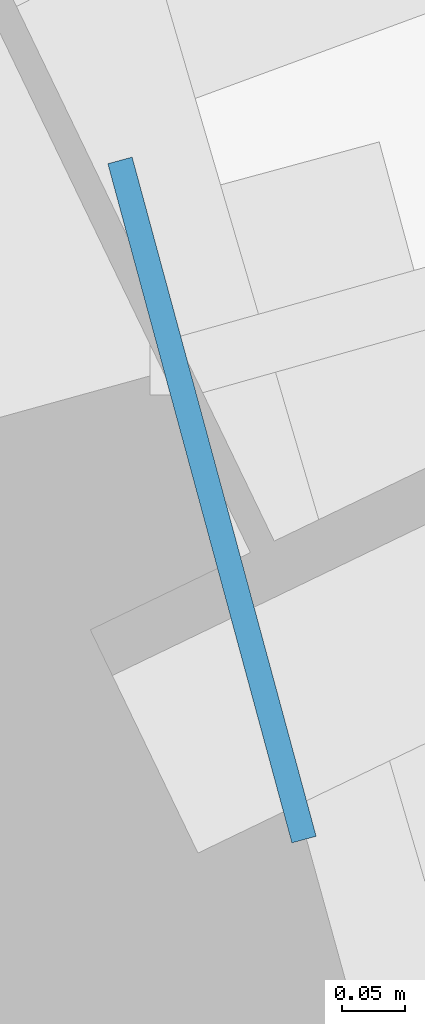
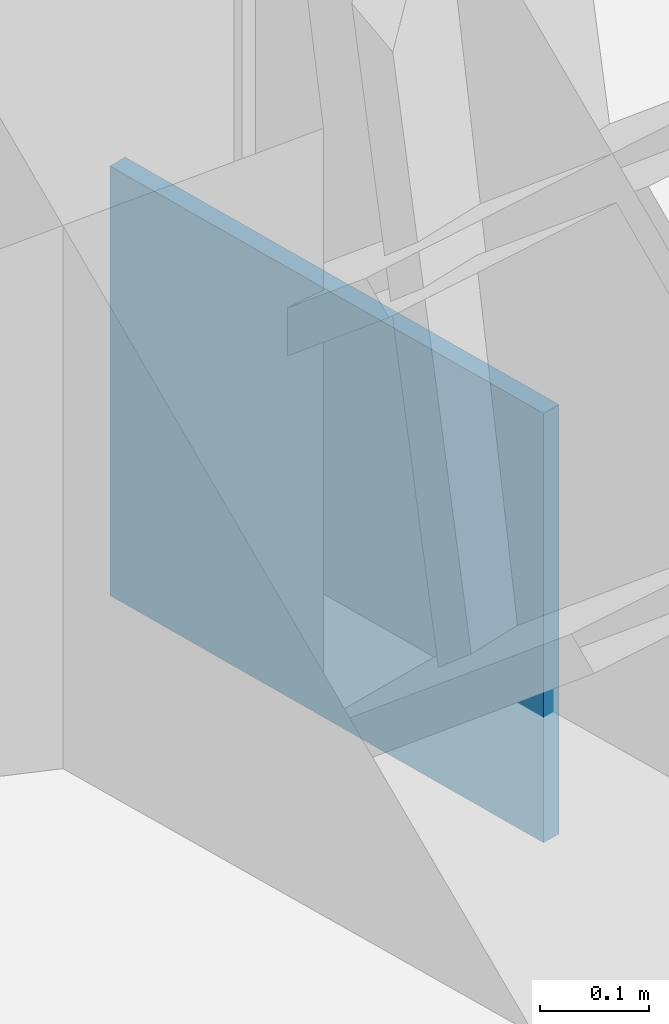
# One storey, part 13 of 20: 1 plate.
"""IFC4 building model written with IfcOpenShell, lengths in metres."""

import ifcopenshell
import ifcopenshell.guid

model = None  # the IFC model being written
_history = None  # IfcOwnerHistory: only IFC2X3 demands one
_inside = {}  # id of a spatial element -> (the spatial element, [elements in it])
_under = {}  # id of a project, library or spatial element -> (it, [spatial elements below it])
_declared = {}  # id of a project -> (the project, [libraries it declares])
_typed = {}  # id of a type object -> (the type object, [elements of that type])
_made_of = {}  # id of a material, layer set ... -> (it, [elements and type objects made of it])


def new_model(schema):
    """Start an empty IFC model of exactly this schema.

    Asked for "IFC4X3", IfcOpenShell would pick the latest addendum, in which some entities
    have other attributes; the version numbers below select the first issue.
    IFC2X3 requires an IfcOwnerHistory on every rooted entity: one is made here for all.
    """
    global model, _history
    if schema == "IFC4X3":
        model = ifcopenshell.file(schema_version=(4, 3, 0, 0))
    else:
        model = ifcopenshell.file(schema=schema)
    _inside.clear()
    _under.clear()
    _declared.clear()
    _typed.clear()
    _made_of.clear()
    _history = None
    if model.schema == "IFC2X3":
        org = make("IfcOrganization", Name="unknown")
        user = make(
            "IfcPersonAndOrganization",
            ThePerson=make("IfcPerson", FamilyName="unknown"),
            TheOrganization=org,
        )
        app = make(
            "IfcApplication",
            ApplicationDeveloper=org,
            Version="unknown",
            ApplicationFullName="unknown",
            ApplicationIdentifier="unknown",
        )
        _history = make(
            "IfcOwnerHistory",
            OwningUser=user,
            OwningApplication=app,
            ChangeAction="ADDED",
            CreationDate=0,
        )
    return model


def make(cls, **values):
    """One entity of the class cls with the attributes given. An attribute that is None is left unset."""
    return model.create_entity(
        cls, **{name: value for name, value in values.items() if value is not None}
    )


def rooted(cls, **values):
    """An entity with a GlobalId (a new one), such as an element, a storey or a relation."""
    return make(cls, GlobalId=ifcopenshell.guid.new(), OwnerHistory=_history, **values)


def si_unit(unit_type, name, prefix=None):
    """IfcSIUnit, for example si_unit("LENGTHUNIT", "METRE", prefix="MILLI")."""
    return make("IfcSIUnit", UnitType=unit_type, Prefix=prefix, Name=name)


def assignment(units):
    """IfcUnitAssignment: the units of a project."""
    return None if units is None else make("IfcUnitAssignment", Units=units)


def point(xyz):
    """IfcCartesianPoint."""
    return None if xyz is None else make("IfcCartesianPoint", Coordinates=xyz)


def direction(xyz):
    """IfcDirection."""
    return None if xyz is None else make("IfcDirection", DirectionRatios=xyz)


def frame(location, z_axis=None, x_axis=None):
    """IfcAxis2Placement3D, a coordinate frame: its origin and axes. An axis left out is left unset."""
    return make(
        "IfcAxis2Placement3D",
        Location=point(location),
        Axis=direction(z_axis),
        RefDirection=direction(x_axis),
    )


def frame_2d(location, x_axis=None):
    """IfcAxis2Placement2D, a coordinate frame in the plane: its origin and x axis."""
    return make(
        "IfcAxis2Placement2D", Location=point(location), RefDirection=direction(x_axis)
    )


def origin():
    """The frame at (0, 0, 0) with its axes left unset."""
    return frame((0.0, 0.0, 0.0))


def origin_2d():
    """The frame at (0, 0) in the plane with its x axis left unset."""
    return frame_2d((0.0, 0.0))


def place(relative_to, where):
    """IfcLocalPlacement: puts the frame where relative to a parent placement (None: the world)."""
    return make(
        "IfcLocalPlacement", PlacementRelTo=relative_to, RelativePlacement=where
    )


def context(
    kind, dimensions, precision=None, world=None, true_north=None, identifier=None
):
    """IfcGeometricRepresentationContext, for example the 3D "Model" context."""
    return make(
        "IfcGeometricRepresentationContext",
        ContextIdentifier=identifier,
        ContextType=kind,
        CoordinateSpaceDimension=dimensions,
        Precision=precision,
        WorldCoordinateSystem=world,
        TrueNorth=true_north,
    )


def subcontext(parent, identifier, kind, view, scale=None):
    """IfcGeometricRepresentationSubContext, for example "Body" below "Model"."""
    return make(
        "IfcGeometricRepresentationSubContext",
        ContextIdentifier=identifier,
        ContextType=kind,
        ParentContext=parent,
        TargetScale=scale,
        TargetView=view,
    )


def project(units=None, contexts=None):
    """IfcProject with its units and contexts."""
    return rooted(
        "IfcProject",
        Name="project",
        RepresentationContexts=contexts,
        UnitsInContext=assignment(units),
    )


def spatial(cls, under=None, at=None, **own):
    """A site, building, storey or space (cls), placed at a placement, below another one or the project."""
    s = rooted(cls, ObjectPlacement=at, **own)
    if under is not None:
        _under.setdefault(under.id(), (under, []))[1].append(s)
    return s


def profile(cls, at=None, kind="AREA", **sizes):
    """A parametric profile (cls). Its sizes go by their IFC names, for example OverallWidth=200.0."""
    return make(cls, ProfileType=kind, Position=at, **sizes)


def rectangle(**sizes):
    """IfcRectangleProfileDef."""
    return profile("IfcRectangleProfileDef", **sizes)


def extrude(swept, where, along, depth):
    """IfcExtrudedAreaSolid: the profile swept, set in the frame where, extruded along a direction by depth."""
    return make(
        "IfcExtrudedAreaSolid",
        SweptArea=swept,
        Position=where,
        ExtrudedDirection=direction(along),
        Depth=depth,
    )


def shape(context_of_items, identifier, shape_type, items):
    """IfcShapeRepresentation: the items that make up one representation, for example the "Body"."""
    return make(
        "IfcShapeRepresentation",
        ContextOfItems=context_of_items,
        RepresentationIdentifier=identifier,
        RepresentationType=shape_type,
        Items=items,
    )


def source(mapping_origin, context_of_items, identifier, shape_type, items):
    """IfcRepresentationMap: a shape defined once, which mapped items show again and again."""
    return make(
        "IfcRepresentationMap",
        MappingOrigin=mapping_origin,
        MappedRepresentation=shape(context_of_items, identifier, shape_type, items),
    )


def transform(
    local_origin,
    x_axis=None,
    y_axis=None,
    z_axis=None,
    scale=None,
    scale2=None,
    scale3=None,
    uniform=True,
):
    """IfcCartesianTransformationOperator3D, or its non-uniform kind. x_axis, y_axis, z_axis: its Axis1, 2, 3."""
    if uniform:
        return make(
            "IfcCartesianTransformationOperator3D",
            Axis1=direction(x_axis),
            Axis2=direction(y_axis),
            LocalOrigin=point(local_origin),
            Scale=scale,
            Axis3=direction(z_axis),
        )
    return make(
        "IfcCartesianTransformationOperator3DnonUniform",
        Axis1=direction(x_axis),
        Axis2=direction(y_axis),
        LocalOrigin=point(local_origin),
        Scale=scale,
        Axis3=direction(z_axis),
        Scale2=scale2,
        Scale3=scale3,
    )


def mapped(mapping_source, mapping_target):
    """IfcMappedItem: shows the shape of a source again, moved by a transform."""
    return make(
        "IfcMappedItem", MappingSource=mapping_source, MappingTarget=mapping_target
    )


def material(Name=None, Category=None):
    """IfcMaterial."""
    return make("IfcMaterial", Name=Name, Category=Category)


def made_of(thing, what):
    """Note that an element or type object is made of a material, layer set ...; save() writes the relation."""
    if what is not None:
        _made_of.setdefault(what.id(), (what, []))[1].append(thing)
    return thing


def type_object(cls, material=None, **own):
    """A type object (cls), such as IfcWallType, which elements share."""
    return made_of(rooted(cls, **own), material)


def element(
    cls,
    number,
    at=None,
    inside=None,
    cuts=None,
    type_object=None,
    material=None,
    context=None,
    identifier="Body",
    shape_type=None,
    held_by="IfcProductDefinitionShape",
    body=None,
    shapes=None,
    **own,
):
    """One element of the class cls, such as IfcWall. Its Tag is "e" and its number.

    at: its placement. inside: the storey or other place that contains it. cuts: it is an
    opening in that element (IfcRelVoidsElement). A single representation is given by context,
    identifier, shape_type and body (its items); several are given by shapes. held_by: the class
    of the entity that holds the representations. save() writes the other relations.
    """
    e = rooted(cls, Tag="e%d" % number, ObjectPlacement=at, **own)
    if body is not None:
        shapes = [shape(context, identifier, shape_type, body)]
    if shapes is not None:
        e.Representation = make(held_by, Representations=shapes)
    if inside is not None:
        _inside.setdefault(inside.id(), (inside, []))[1].append(e)
    if cuts is not None:
        rooted(
            "IfcRelVoidsElement", RelatingBuildingElement=cuts, RelatedOpeningElement=e
        )
    if type_object is not None:
        _typed.setdefault(type_object.id(), (type_object, []))[1].append(e)
    return made_of(e, material)


def aggregate(whole, parts):
    """IfcRelAggregates: a whole, such as a stair, and the parts it consists of."""
    return rooted("IfcRelAggregates", RelatingObject=whole, RelatedObjects=parts)


def save(model, path):
    """Write the relations noted so far, then the file.

    IfcRelAggregates (storeys below a building ...), IfcRelContainedInSpatialStructure (elements
    in a storey), IfcRelDefinesByType, IfcRelAssociatesMaterial and IfcRelDeclares: one each for
    every whole, place, type object, material and project.
    """
    for whole, parts in _under.values():
        aggregate(whole, parts)
    for where, things in _inside.values():
        rooted(
            "IfcRelContainedInSpatialStructure",
            RelatedElements=things,
            RelatingStructure=where,
        )
    for kind, things in _typed.values():
        rooted("IfcRelDefinesByType", RelatedObjects=things, RelatingType=kind)
    for what, things in _made_of.values():
        rooted("IfcRelAssociatesMaterial", RelatedObjects=things, RelatingMaterial=what)
    for by, libraries in _declared.values():
        rooted("IfcRelDeclares", RelatingContext=by, RelatedDefinitions=libraries)
    model.write(path)


model = new_model("IFC4")

# Units and contexts
model_context = context("Model", 3, precision=1e-05, world=origin(), true_north=direction((0.0, 1.0)))
body_context = subcontext(model_context, "Body", "Model", "MODEL_VIEW")
ifc_project = project(units=[si_unit("LENGTHUNIT", "METRE"), si_unit("AREAUNIT", "SQUARE_METRE"), si_unit("VOLUMEUNIT", "CUBIC_METRE"), si_unit("PLANEANGLEUNIT", "RADIAN"), si_unit("MASSUNIT", "GRAM", prefix="KILO")], contexts=[model_context])

# Site, building, storey
site_placement = place(None, origin())
site = spatial("IfcSite", under=ifc_project, at=site_placement, CompositionType="ELEMENT")
building_placement = place(site_placement, origin())
building = spatial("IfcBuilding", under=site, at=building_placement, Name="Olszyna Solenne Hotel", CompositionType="ELEMENT")
storey_placement = place(building_placement, frame((0.0, 0.0, 98.60009765625)))
storey = spatial("IfcBuildingStorey", under=building, at=storey_placement, Name="L25", CompositionType="ELEMENT", Elevation=98.60009765625)

# Plate
ifc_material = material(Name="Steel S355J2", Category="steel")
plate_type = type_object("IfcPlateType", Name="GP-ND2", PredefinedType="USERDEFINED", material=ifc_material)
shared_shape = source(origin(), body_context, "Body", "SweptSolid", [
    extrude(rectangle(XDim=0.56005859375, YDim=0.02001953125, at=origin_2d()), origin(), (0.0, 0.0, 1.0), 0.47998046875),
])
plate_placement = place(storey_placement, frame((66.498046875, 36.659423828125, -0.14111328125), z_axis=(0.0, 0.0, 1.0), x_axis=(0.261515406195, -0.965199301866, 0.0)))
element("IfcPlate", 1, at=plate_placement, inside=storey, type_object=plate_type, Name="Brace end connection gusset plate GP-ND2 EP-BR-L25-1-1", ObjectType="GUSSET_PLATE", PredefinedType="USERDEFINED", context=body_context, shape_type="MappedRepresentation", body=[
    mapped(shared_shape, transform((0.0, 0.0, 0.0), x_axis=(1.0, 0.0, 0.0), y_axis=(0.0, 1.0, 0.0), z_axis=(0.0, 0.0, 1.0), scale=1.0)),
])

save(model, "model.ifc")
